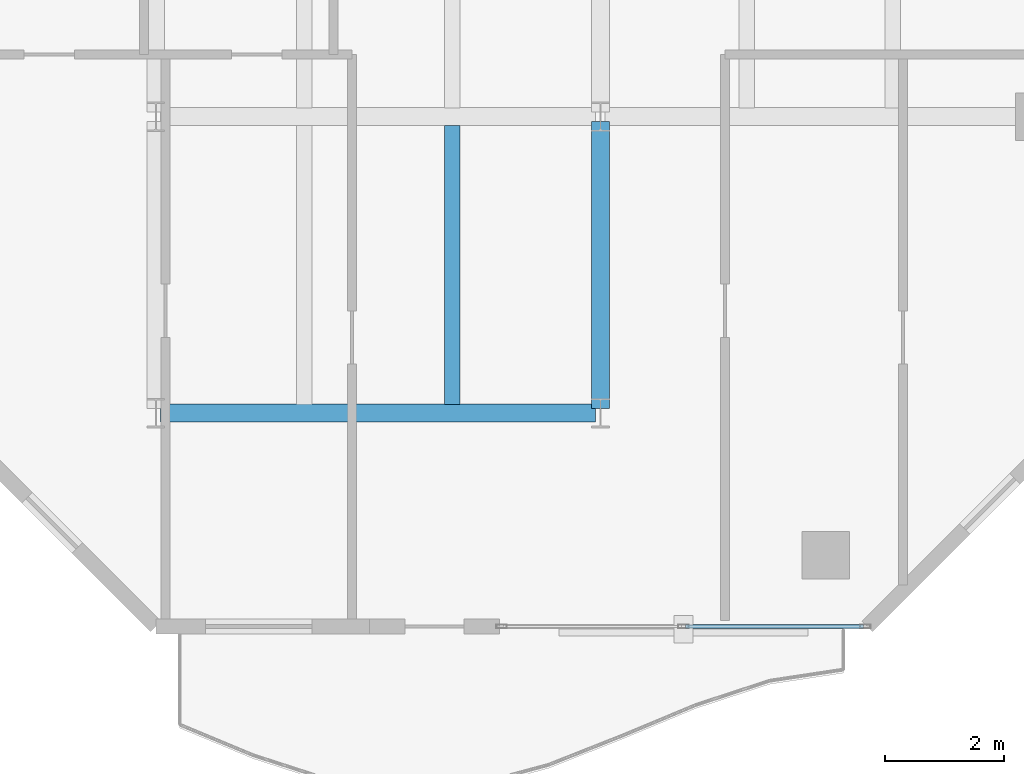
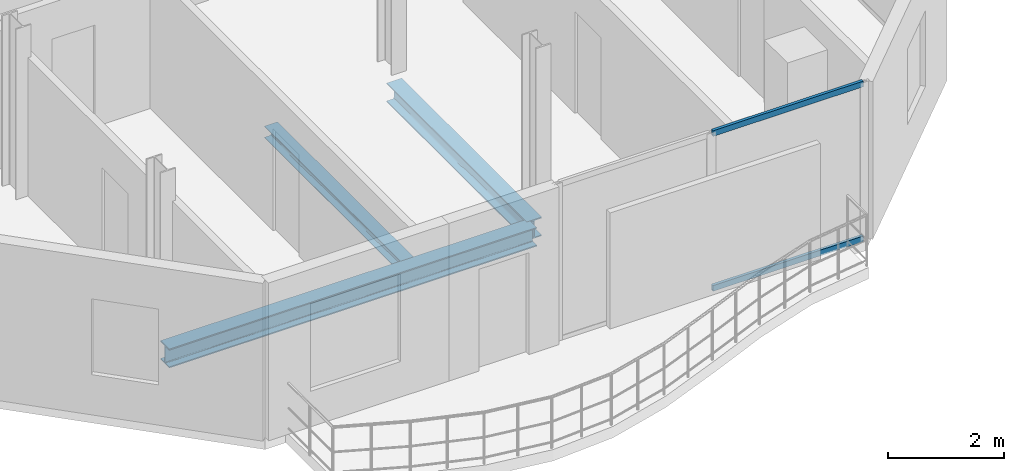
# One storey, part 4 of 23: 3 beams, 2 members, 1 element without a shape of its own.
"""IFC4 building model written with IfcOpenShell, lengths in metres."""

from ifc_helpers import new_model, si_unit, direction, frame, origin, origin_2d, place, context, subcontext, project, spatial, hollow_rectangle, i_section, extrude, material, layer, layer_set, material_profile, profile_set, type_object, element, aggregate, save


model = new_model("IFC4")

# Units and contexts
model_context = context("Model", 3, precision=1e-05, world=origin(), true_north=direction((0.0, 1.0)))
body_context = subcontext(model_context, "Body", "Model", "MODEL_VIEW")
ifc_project = project(units=[si_unit("LENGTHUNIT", "METRE"), si_unit("AREAUNIT", "SQUARE_METRE"), si_unit("VOLUMEUNIT", "CUBIC_METRE"), si_unit("PLANEANGLEUNIT", "RADIAN"), si_unit("MASSUNIT", "GRAM", prefix="KILO")], contexts=[model_context])

# Site, building, storey
site_placement = place(None, origin())
site = spatial("IfcSite", under=ifc_project, at=site_placement, CompositionType="ELEMENT")
building_placement = place(site_placement, origin())
building = spatial("IfcBuilding", under=site, at=building_placement, Name="Catumbela Crestline Tower", CompositionType="ELEMENT")
storey_placement = place(building_placement, frame((0.0, 0.0, 179.4)))
storey = spatial("IfcBuildingStorey", under=building, at=storey_placement, Name="L46", CompositionType="ELEMENT", Elevation=179.4)

# Beams
ifc_material_1 = material(Name="Structural steel S355J2", Category="steel")
ifc_material_profile_1 = material_profile(ifc_material_1, i_section(OverallWidth=0.3, OverallDepth=0.4, WebThickness=0.0135, FlangeThickness=0.024, FilletRadius=0.027, at=origin_2d()), Name="HEB 400")
ifc_profile_set_1 = profile_set([ifc_material_profile_1], Name="Structural steel S355J2")
beam_type_1 = type_object("IfcBeamType", Name="BG-HEB400", PredefinedType="BEAM", material=ifc_profile_set_1)
beam_1_placement = place(storey_placement, frame((8.58, 8.6, -0.46), z_axis=(1.0, 0.0, 0.0), x_axis=(0.0, 1.0, 0.0)))
element("IfcBeam", 1, at=beam_1_placement, inside=storey, type_object=beam_type_1, Name="L46 Beam BM-L46-WEW32", PredefinedType="BEAM", context=body_context, shape_type="SweptSolid", body=[
    extrude(i_section(OverallWidth=0.3, OverallDepth=0.4, WebThickness=0.0135, FlangeThickness=0.024, FilletRadius=0.027, at=origin_2d()), origin(), (0.0, 0.0, 1.0), 7.34),
])
beam_2_placement = place(storey_placement, frame((16.0, 8.68, -0.46), z_axis=(0.0, 1.0, 0.0), x_axis=(-1.0, 0.0, 0.0)))
element("IfcBeam", 2, at=beam_2_placement, inside=storey, type_object=beam_type_1, Name="L46 Beam BM-L46-WNS40", PredefinedType="BEAM", context=body_context, shape_type="SweptSolid", body=[
    extrude(i_section(OverallWidth=0.3, OverallDepth=0.4, WebThickness=0.0135, FlangeThickness=0.024, FilletRadius=0.027, at=origin_2d()), origin(), (0.0, 0.0, 1.0), 4.84),
])
ifc_material_profile_2 = material_profile(ifc_material_1, i_section(OverallWidth=0.26, OverallDepth=0.25, WebThickness=0.0075, FlangeThickness=0.0125, FilletRadius=0.024, at=origin_2d()), Name="HEA 260")
ifc_profile_set_2 = profile_set([ifc_material_profile_2], Name="Structural steel S355J2")
beam_type_2 = type_object("IfcBeamType", Name="BJ-HEA260", PredefinedType="JOIST", material=ifc_profile_set_2)
beam_3_placement = place(storey_placement, frame((13.5, 8.747, -0.385), z_axis=(0.0, 1.0, 0.0), x_axis=(-1.0, 0.0, 0.0)))
element("IfcBeam", 3, at=beam_3_placement, inside=storey, type_object=beam_type_2, Name="L46 Joist JS-L46-WG45", PredefinedType="JOIST", context=body_context, shape_type="SweptSolid", body=[
    extrude(i_section(OverallWidth=0.26, OverallDepth=0.25, WebThickness=0.0075, FlangeThickness=0.0125, FilletRadius=0.024, at=origin_2d()), origin(), (0.0, 0.0, 1.0), 4.706),
])

# Curtain wall, members
ifc_material_2 = material(Name="Aluminium alloy AW-6060-T66", Category="aluminium")
ifc_layer = layer(ifc_material_2, 0.18, Name="Aluminium alloy AW-6060-T66")
ifc_layer_set = layer_set([ifc_layer], Name="Aluminium alloy AW-6060-T66")
curtain_wall_type = type_object("IfcCurtainWallType", Name="CWU-Z3", PredefinedType="USERDEFINED", material=ifc_layer_set)
curtain_wall_placement = place(storey_placement, origin())
curtain_wall = element("IfcCurtainWall", 4, at=curtain_wall_placement, inside=storey, type_object=curtain_wall_type, Name="L46 Unitised Curtain Wall CW-L46-E0S2", ObjectType="UNITISED", PredefinedType="USERDEFINED")
ifc_material_profile_3 = material_profile(ifc_material_2, hollow_rectangle(XDim=0.06, YDim=0.12, WallThickness=0.0035, at=origin_2d()), Name="ALU 120x60x3.5")
ifc_profile_set_3 = profile_set([ifc_material_profile_3], Name="Aluminium alloy AW-6060-T66")
member_type = type_object("IfcMemberType", Name="TRN-120X60", PredefinedType="USERDEFINED", material=ifc_profile_set_3)
member_1_placement = place(storey_placement, frame((17.4325, 5.0, 0.03), z_axis=(1.0, 0.0, 0.0), x_axis=(0.0, 1.0, 0.0)))
member_1 = element("IfcMember", 5, at=member_1_placement, type_object=member_type, Name="CWU-Z3 transom 2.1", ObjectType="TRANSOM", PredefinedType="USERDEFINED", context=body_context, shape_type="SweptSolid", body=[
    extrude(hollow_rectangle(XDim=0.06, YDim=0.12, WallThickness=0.0035, at=origin_2d()), origin(), (0.0, 0.0, 1.0), 3.0025),
])
member_2_placement = place(storey_placement, frame((17.4325, 5.0, 3.3), z_axis=(1.0, 0.0, 0.0), x_axis=(0.0, 1.0, 0.0)))
member_2 = element("IfcMember", 6, at=member_2_placement, type_object=member_type, Name="CWU-Z3 transom 2.2", ObjectType="TRANSOM", PredefinedType="USERDEFINED", context=body_context, shape_type="SweptSolid", body=[
    extrude(hollow_rectangle(XDim=0.06, YDim=0.12, WallThickness=0.0035, at=origin_2d()), origin(), (0.0, 0.0, 1.0), 3.0025),
])
aggregate(curtain_wall, [member_1, member_2])

save(model, "model.ifc")
